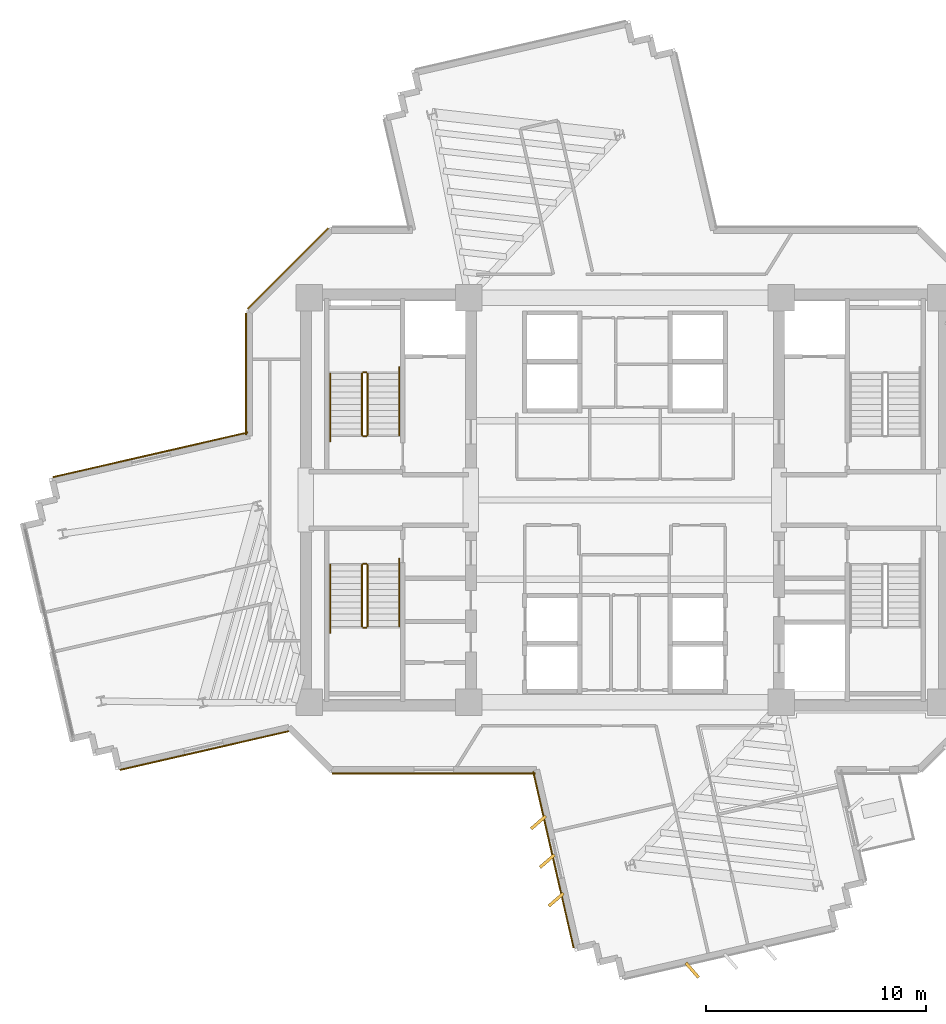
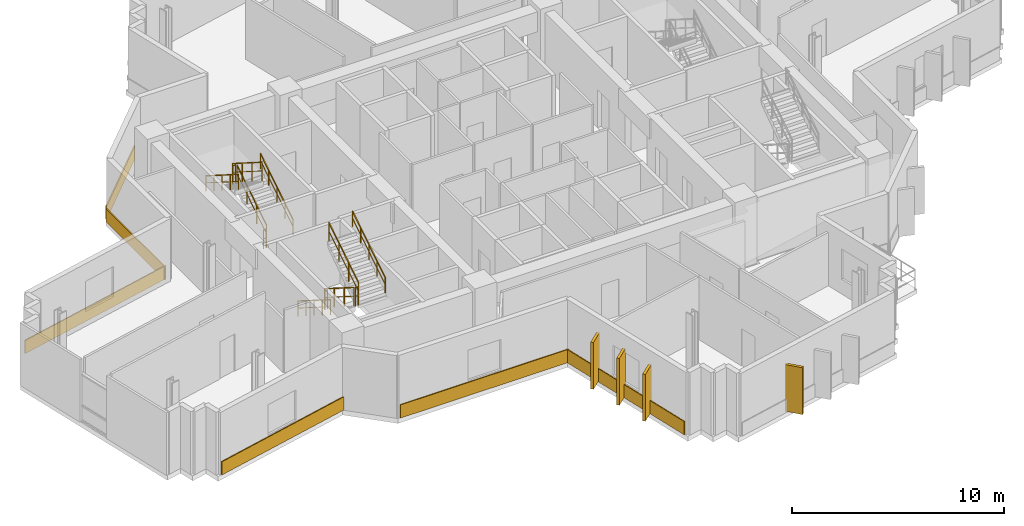
# One storey, part 11 of 13: 12 railings, 10 coverings.
"""IFC4 building model written with IfcOpenShell, lengths in metres."""

from ifc_helpers import new_model, si_unit, direction, frame, origin, origin_2d, place, context, subcontext, project, spatial, rectangle, extrude, source, transform, mapped, material, layer, layer_set, type_object, element, save


model = new_model("IFC4")

# Units and contexts
model_context = context("Model", 3, precision=1e-05, world=origin(), true_north=direction((0.0, 1.0)))
body_context = subcontext(model_context, "Body", "Model", "MODEL_VIEW")
ifc_project = project(units=[si_unit("LENGTHUNIT", "METRE"), si_unit("AREAUNIT", "SQUARE_METRE"), si_unit("VOLUMEUNIT", "CUBIC_METRE"), si_unit("PLANEANGLEUNIT", "RADIAN"), si_unit("MASSUNIT", "GRAM", prefix="KILO")], contexts=[model_context])

# Site, building, storey
site_placement = place(None, origin())
site = spatial("IfcSite", under=ifc_project, at=site_placement, CompositionType="ELEMENT")
building_placement = place(site_placement, origin())
building = spatial("IfcBuilding", under=site, at=building_placement, Name="Zahravan Cultural Tower", CompositionType="ELEMENT")
storey_placement = place(building_placement, frame((0.0, 0.0, 178.5)))
storey = spatial("IfcBuildingStorey", under=building, at=storey_placement, Name="L41", CompositionType="ELEMENT", Elevation=178.5)

# Railings
ifc_material_1 = material(Name="Steel ASTM A572 Grade 50", Category="steel")
railing_type_1 = type_object("IfcRailingType", Name="RL-STAIR-GRD1150", PredefinedType="BALUSTRADE", material=ifc_material_1)
railing_1_placement = place(storey_placement, frame((24.300048828125, 29.949951171875, 0.17724609375)))
element("IfcRailing", 1, at=railing_1_placement, inside=storey, type_object=railing_type_1, Name="L41 ST-W1 stair guard 1", PredefinedType="BALUSTRADE", context=body_context, shape_type="SweptSolid", body=[
    extrude(rectangle(XDim=0.05, YDim=0.05, at=origin_2d()), frame((0.0, 0.0, 1.0751953125), z_axis=(0.0, 0.844908973607, 0.534910110503), x_axis=(-1.0, 0.0, 0.0)), (0.0, 0.0, 1.0), 3.31396484375),
    extrude(rectangle(XDim=0.032, YDim=0.032, at=origin_2d()), frame((0.0, 0.0, 0.572021484375), z_axis=(0.0, 0.844908973607, 0.534910110503), x_axis=(-1.0, 0.0, 0.0)), (0.0, 0.0, 1.0), 3.31396484375),
    extrude(rectangle(XDim=0.04, YDim=0.04, at=origin_2d()), origin(), (0.0, 0.0, 1.0), 1.10009765625),
    extrude(rectangle(XDim=0.04, YDim=0.04, at=origin_2d()), frame((0.0, 0.933349609375, 0.5908203125)), (0.0, 0.0, 1.0), 1.10009765625),
    extrude(rectangle(XDim=0.04, YDim=0.04, at=origin_2d()), frame((0.0, 1.86669921875, 1.181884765625)), (0.0, 0.0, 1.0), 1.10009765625),
    extrude(rectangle(XDim=0.04, YDim=0.04, at=origin_2d()), frame((0.0, 2.800048828125, 1.772705078125)), (0.0, 0.0, 1.0), 1.10009765625),
])
railing_2_placement = place(storey_placement, frame((24.25, 32.800048828125, 1.949951171875)))
element("IfcRailing", 2, at=railing_2_placement, inside=storey, type_object=railing_type_1, Name="L41 ST-W1 stair guard 2", PredefinedType="BALUSTRADE", context=body_context, shape_type="SweptSolid", body=[
    extrude(rectangle(XDim=0.05, YDim=0.05, at=origin_2d()), frame((0.0, 0.0, 1.0751953125), z_axis=(-1.0, 0.0, 0.0), x_axis=(0.0, -1.0, 0.0)), (0.0, 0.0, 1.0), 0.14990234375),
    extrude(rectangle(XDim=0.032, YDim=0.032, at=origin_2d()), frame((0.0, 0.0, 0.572021484375), z_axis=(-1.0, 0.0, 0.0), x_axis=(0.0, -1.0, 0.0)), (0.0, 0.0, 1.0), 0.14990234375),
    extrude(rectangle(XDim=0.04, YDim=0.04, at=origin_2d()), origin(), (0.0, 0.0, 1.0), 1.10009765625),
    extrude(rectangle(XDim=0.04, YDim=0.04, at=origin_2d()), frame((-0.14990234375, 0.0, 0.0)), (0.0, 0.0, 1.0), 1.10009765625),
])
railing_3_placement = place(storey_placement, frame((24.050048828125, 32.75, 2.127197265625)))
element("IfcRailing", 3, at=railing_3_placement, inside=storey, type_object=railing_type_1, Name="L41 ST-W1 stair guard 3", PredefinedType="BALUSTRADE", context=body_context, shape_type="SweptSolid", body=[
    extrude(rectangle(XDim=0.05, YDim=0.05, at=origin_2d()), frame((0.0, 0.0, 1.0751953125), z_axis=(0.0, -0.844908973607, 0.534910110503), x_axis=(1.0, 0.0, 0.0)), (0.0, 0.0, 1.0), 3.31396484375),
    extrude(rectangle(XDim=0.032, YDim=0.032, at=origin_2d()), frame((0.0, 0.0, 0.572021484375), z_axis=(0.0, -0.844908973607, 0.534910110503), x_axis=(1.0, 0.0, 0.0)), (0.0, 0.0, 1.0), 3.31396484375),
    extrude(rectangle(XDim=0.04, YDim=0.04, at=origin_2d()), origin(), (0.0, 0.0, 1.0), 1.10009765625),
    extrude(rectangle(XDim=0.04, YDim=0.04, at=origin_2d()), frame((0.0, -0.933349609375, 0.5908203125)), (0.0, 0.0, 1.0), 1.10009765625),
    extrude(rectangle(XDim=0.04, YDim=0.04, at=origin_2d()), frame((0.0, -1.86669921875, 1.181884765625)), (0.0, 0.0, 1.0), 1.10009765625),
    extrude(rectangle(XDim=0.04, YDim=0.04, at=origin_2d()), frame((0.0, -2.800048828125, 1.772705078125)), (0.0, 0.0, 1.0), 1.10009765625),
])
railing_4_placement = place(storey_placement, frame((24.25, 29.89990234375, 0.0)))
element("IfcRailing", 4, at=railing_4_placement, inside=storey, type_object=railing_type_1, Name="L41 ST-W1 stair guard 4", PredefinedType="BALUSTRADE", context=body_context, shape_type="SweptSolid", body=[
    extrude(rectangle(XDim=0.05, YDim=0.05, at=origin_2d()), frame((0.0, 0.0, 1.0751953125), z_axis=(-1.0, 0.0, 0.0), x_axis=(0.0, -1.0, 0.0)), (0.0, 0.0, 1.0), 0.14990234375),
    extrude(rectangle(XDim=0.032, YDim=0.032, at=origin_2d()), frame((0.0, 0.0, 0.572021484375), z_axis=(-1.0, 0.0, 0.0), x_axis=(0.0, -1.0, 0.0)), (0.0, 0.0, 1.0), 0.14990234375),
    extrude(rectangle(XDim=0.04, YDim=0.04, at=origin_2d()), origin(), (0.0, 0.0, 1.0), 1.10009765625),
    extrude(rectangle(XDim=0.04, YDim=0.04, at=origin_2d()), frame((-0.14990234375, 0.0, 0.0)), (0.0, 0.0, 1.0), 1.10009765625),
])
railing_5_placement = place(storey_placement, frame((24.050048828125, 24.050048828125, 0.17724609375)))
element("IfcRailing", 5, at=railing_5_placement, inside=storey, type_object=railing_type_1, Name="L41 ST-W2 stair guard 1", PredefinedType="BALUSTRADE", context=body_context, shape_type="SweptSolid", body=[
    extrude(rectangle(XDim=0.05, YDim=0.05, at=origin_2d()), frame((0.0, 0.0, 1.0751953125), z_axis=(0.0, -0.844908973607, 0.534910110503), x_axis=(1.0, 0.0, 0.0)), (0.0, 0.0, 1.0), 3.31396484375),
    extrude(rectangle(XDim=0.032, YDim=0.032, at=origin_2d()), frame((0.0, 0.0, 0.572021484375), z_axis=(0.0, -0.844908973607, 0.534910110503), x_axis=(1.0, 0.0, 0.0)), (0.0, 0.0, 1.0), 3.31396484375),
    extrude(rectangle(XDim=0.04, YDim=0.04, at=origin_2d()), origin(), (0.0, 0.0, 1.0), 1.10009765625),
    extrude(rectangle(XDim=0.04, YDim=0.04, at=origin_2d()), frame((0.0, -0.933349609375, 0.5908203125)), (0.0, 0.0, 1.0), 1.10009765625),
    extrude(rectangle(XDim=0.04, YDim=0.04, at=origin_2d()), frame((0.0, -1.86669921875, 1.181884765625)), (0.0, 0.0, 1.0), 1.10009765625),
    extrude(rectangle(XDim=0.04, YDim=0.04, at=origin_2d()), frame((0.0, -2.800048828125, 1.772705078125)), (0.0, 0.0, 1.0), 1.10009765625),
])
railing_6_placement = place(storey_placement, frame((24.10009765625, 21.199951171875, 1.949951171875)))
element("IfcRailing", 6, at=railing_6_placement, inside=storey, type_object=railing_type_1, Name="L41 ST-W2 stair guard 2", PredefinedType="BALUSTRADE", context=body_context, shape_type="SweptSolid", body=[
    extrude(rectangle(XDim=0.05, YDim=0.05, at=origin_2d()), frame((0.0, 0.0, 1.0751953125), z_axis=(1.0, 0.0, 0.0), x_axis=(0.0, 1.0, 0.0)), (0.0, 0.0, 1.0), 0.14990234375),
    extrude(rectangle(XDim=0.032, YDim=0.032, at=origin_2d()), frame((0.0, 0.0, 0.572021484375), z_axis=(1.0, 0.0, 0.0), x_axis=(0.0, 1.0, 0.0)), (0.0, 0.0, 1.0), 0.14990234375),
    extrude(rectangle(XDim=0.04, YDim=0.04, at=origin_2d()), origin(), (0.0, 0.0, 1.0), 1.10009765625),
    extrude(rectangle(XDim=0.04, YDim=0.04, at=origin_2d()), frame((0.14990234375, 0.0, 0.0)), (0.0, 0.0, 1.0), 1.10009765625),
])
railing_7_placement = place(storey_placement, frame((24.300048828125, 21.25, 2.127197265625)))
element("IfcRailing", 7, at=railing_7_placement, inside=storey, type_object=railing_type_1, Name="L41 ST-W2 stair guard 3", PredefinedType="BALUSTRADE", context=body_context, shape_type="SweptSolid", body=[
    extrude(rectangle(XDim=0.05, YDim=0.05, at=origin_2d()), frame((0.0, 0.0, 1.0751953125), z_axis=(0.0, 0.844908973607, 0.534910110503), x_axis=(-1.0, 0.0, 0.0)), (0.0, 0.0, 1.0), 3.31396484375),
    extrude(rectangle(XDim=0.032, YDim=0.032, at=origin_2d()), frame((0.0, 0.0, 0.572021484375), z_axis=(0.0, 0.844908973607, 0.534910110503), x_axis=(-1.0, 0.0, 0.0)), (0.0, 0.0, 1.0), 3.31396484375),
    extrude(rectangle(XDim=0.04, YDim=0.04, at=origin_2d()), origin(), (0.0, 0.0, 1.0), 1.10009765625),
    extrude(rectangle(XDim=0.04, YDim=0.04, at=origin_2d()), frame((0.0, 0.933349609375, 0.5908203125)), (0.0, 0.0, 1.0), 1.10009765625),
    extrude(rectangle(XDim=0.04, YDim=0.04, at=origin_2d()), frame((0.0, 1.86669921875, 1.181884765625)), (0.0, 0.0, 1.0), 1.10009765625),
    extrude(rectangle(XDim=0.04, YDim=0.04, at=origin_2d()), frame((0.0, 2.800048828125, 1.772705078125)), (0.0, 0.0, 1.0), 1.10009765625),
])
railing_8_placement = place(storey_placement, frame((24.10009765625, 24.10009765625, 0.0)))
element("IfcRailing", 8, at=railing_8_placement, inside=storey, type_object=railing_type_1, Name="L41 ST-W2 stair guard 4", PredefinedType="BALUSTRADE", context=body_context, shape_type="SweptSolid", body=[
    extrude(rectangle(XDim=0.05, YDim=0.05, at=origin_2d()), frame((0.0, 0.0, 1.0751953125), z_axis=(1.0, 0.0, 0.0), x_axis=(0.0, 1.0, 0.0)), (0.0, 0.0, 1.0), 0.14990234375),
    extrude(rectangle(XDim=0.032, YDim=0.032, at=origin_2d()), frame((0.0, 0.0, 0.572021484375), z_axis=(1.0, 0.0, 0.0), x_axis=(0.0, 1.0, 0.0)), (0.0, 0.0, 1.0), 0.14990234375),
    extrude(rectangle(XDim=0.04, YDim=0.04, at=origin_2d()), origin(), (0.0, 0.0, 1.0), 1.10009765625),
    extrude(rectangle(XDim=0.04, YDim=0.04, at=origin_2d()), frame((0.14990234375, 0.0, 0.0)), (0.0, 0.0, 1.0), 1.10009765625),
])
railing_type_2 = type_object("IfcRailingType", Name="RL-STAIR-HR900", PredefinedType="HANDRAIL", material=ifc_material_1)
railing_9_placement = place(storey_placement, frame((25.75, 29.949951171875, 0.17724609375)))
element("IfcRailing", 9, at=railing_9_placement, inside=storey, type_object=railing_type_2, Name="L41 ST-W1 stair handrail 1", PredefinedType="HANDRAIL", context=body_context, shape_type="SweptSolid", body=[
    extrude(rectangle(XDim=0.05, YDim=0.05, at=origin_2d()), frame((0.0, 0.0, 0.875), z_axis=(0.0, 0.844913916606, 0.534902302785), x_axis=(-1.0, 0.0, 0.0)), (0.0, 0.0, 1.0), 3.6455078125),
    extrude(rectangle(XDim=0.032, YDim=0.032, at=origin_2d()), frame((0.0, 0.0, 0.468017578125), z_axis=(0.0, 0.844913916606, 0.534902302785), x_axis=(-1.0, 0.0, 0.0)), (0.0, 0.0, 1.0), 3.6455078125),
    extrude(rectangle(XDim=0.04, YDim=0.04, at=origin_2d()), origin(), (0.0, 0.0, 1.0), 0.89990234375),
    extrude(rectangle(XDim=0.04, YDim=0.04, at=origin_2d()), frame((0.0, 0.77001953125, 0.487548828125)), (0.0, 0.0, 1.0), 0.89990234375),
    extrude(rectangle(XDim=0.04, YDim=0.04, at=origin_2d()), frame((0.0, 1.5400390625, 0.97509765625)), (0.0, 0.0, 1.0), 0.89990234375),
    extrude(rectangle(XDim=0.04, YDim=0.04, at=origin_2d()), frame((0.0, 2.31005859375, 1.46240234375)), (0.0, 0.0, 1.0), 0.89990234375),
    extrude(rectangle(XDim=0.04, YDim=0.04, at=origin_2d()), frame((0.0, 3.080078125, 1.949951171875)), (0.0, 0.0, 1.0), 0.89990234375),
])
railing_10_placement = place(storey_placement, frame((22.60009765625, 32.75, 2.127197265625)))
element("IfcRailing", 10, at=railing_10_placement, inside=storey, type_object=railing_type_2, Name="L41 ST-W1 stair handrail 2", PredefinedType="HANDRAIL", context=body_context, shape_type="SweptSolid", body=[
    extrude(rectangle(XDim=0.05, YDim=0.05, at=origin_2d()), frame((0.0, 0.0, 0.875), z_axis=(0.0, -0.844883648757, 0.534950109882), x_axis=(1.0, 0.0, 0.0)), (0.0, 0.0, 1.0), 3.6455078125),
    extrude(rectangle(XDim=0.032, YDim=0.032, at=origin_2d()), frame((0.0, 0.0, 0.468017578125), z_axis=(0.0, -0.844883648757, 0.534950109882), x_axis=(1.0, 0.0, 0.0)), (0.0, 0.0, 1.0), 3.6455078125),
    extrude(rectangle(XDim=0.04, YDim=0.04, at=origin_2d()), origin(), (0.0, 0.0, 1.0), 0.89990234375),
    extrude(rectangle(XDim=0.04, YDim=0.04, at=origin_2d()), frame((0.0, -0.77001953125, 0.487548828125)), (0.0, 0.0, 1.0), 0.89990234375),
    extrude(rectangle(XDim=0.04, YDim=0.04, at=origin_2d()), frame((0.0, -1.5400390625, 0.97509765625)), (0.0, 0.0, 1.0), 0.89990234375),
    extrude(rectangle(XDim=0.04, YDim=0.04, at=origin_2d()), frame((0.0, -2.31005859375, 1.462646484375)), (0.0, 0.0, 1.0), 0.89990234375),
    extrude(rectangle(XDim=0.04, YDim=0.04, at=origin_2d()), frame((0.0, -3.080078125, 1.9501953125)), (0.0, 0.0, 1.0), 0.89990234375),
])
railing_11_placement = place(storey_placement, frame((22.60009765625, 24.050048828125, 0.17724609375)))
element("IfcRailing", 11, at=railing_11_placement, inside=storey, type_object=railing_type_2, Name="L41 ST-W2 stair handrail 1", PredefinedType="HANDRAIL", context=body_context, shape_type="SweptSolid", body=[
    extrude(rectangle(XDim=0.05, YDim=0.05, at=origin_2d()), frame((0.0, 0.0, 0.875), z_axis=(0.0, -0.844913916606, 0.534902302785), x_axis=(1.0, 0.0, 0.0)), (0.0, 0.0, 1.0), 3.6455078125),
    extrude(rectangle(XDim=0.032, YDim=0.032, at=origin_2d()), frame((0.0, 0.0, 0.468017578125), z_axis=(0.0, -0.844913916606, 0.534902302785), x_axis=(1.0, 0.0, 0.0)), (0.0, 0.0, 1.0), 3.6455078125),
    extrude(rectangle(XDim=0.04, YDim=0.04, at=origin_2d()), origin(), (0.0, 0.0, 1.0), 0.89990234375),
    extrude(rectangle(XDim=0.04, YDim=0.04, at=origin_2d()), frame((0.0, -0.77001953125, 0.487548828125)), (0.0, 0.0, 1.0), 0.89990234375),
    extrude(rectangle(XDim=0.04, YDim=0.04, at=origin_2d()), frame((0.0, -1.5400390625, 0.97509765625)), (0.0, 0.0, 1.0), 0.89990234375),
    extrude(rectangle(XDim=0.04, YDim=0.04, at=origin_2d()), frame((0.0, -2.31005859375, 1.46240234375)), (0.0, 0.0, 1.0), 0.89990234375),
    extrude(rectangle(XDim=0.04, YDim=0.04, at=origin_2d()), frame((0.0, -3.080078125, 1.949951171875)), (0.0, 0.0, 1.0), 0.89990234375),
])
railing_12_placement = place(storey_placement, frame((25.75, 21.25, 2.127197265625)))
element("IfcRailing", 12, at=railing_12_placement, inside=storey, type_object=railing_type_2, Name="L41 ST-W2 stair handrail 2", PredefinedType="HANDRAIL", context=body_context, shape_type="SweptSolid", body=[
    extrude(rectangle(XDim=0.05, YDim=0.05, at=origin_2d()), frame((0.0, 0.0, 0.875), z_axis=(0.0, 0.844883648757, 0.534950109882), x_axis=(-1.0, 0.0, 0.0)), (0.0, 0.0, 1.0), 3.6455078125),
    extrude(rectangle(XDim=0.032, YDim=0.032, at=origin_2d()), frame((0.0, 0.0, 0.468017578125), z_axis=(0.0, 0.844883648757, 0.534950109882), x_axis=(-1.0, 0.0, 0.0)), (0.0, 0.0, 1.0), 3.6455078125),
    extrude(rectangle(XDim=0.04, YDim=0.04, at=origin_2d()), origin(), (0.0, 0.0, 1.0), 0.89990234375),
    extrude(rectangle(XDim=0.04, YDim=0.04, at=origin_2d()), frame((0.0, 0.77001953125, 0.487548828125)), (0.0, 0.0, 1.0), 0.89990234375),
    extrude(rectangle(XDim=0.04, YDim=0.04, at=origin_2d()), frame((0.0, 1.5400390625, 0.97509765625)), (0.0, 0.0, 1.0), 0.89990234375),
    extrude(rectangle(XDim=0.04, YDim=0.04, at=origin_2d()), frame((0.0, 2.31005859375, 1.462646484375)), (0.0, 0.0, 1.0), 0.89990234375),
    extrude(rectangle(XDim=0.04, YDim=0.04, at=origin_2d()), frame((0.0, 3.080078125, 1.9501953125)), (0.0, 0.0, 1.0), 0.89990234375),
])

# Coverings
ifc_material_2 = material(Name="Terracotta ceramic cladding", Category="masonry")
ifc_layer = layer(ifc_material_2, 0.06005859375)
ifc_layer_set = layer_set([ifc_layer], Name="Terracotta ceramic cladding")
covering_type = type_object("IfcCoveringType", Name="COV-CLAD-TC60", PredefinedType="CLADDING", material=ifc_layer_set)
shared_shape_1 = source(origin(), body_context, "Body", "SweptSolid", [
    extrude(rectangle(XDim=5.157958984375, YDim=0.06005859375, at=origin_2d()), origin(), (0.0, 0.0, 1.0), 0.760009765625),
])
covering_1_placement = place(storey_placement, frame((20.682373046875, 37.517578125, 0.02001953125), z_axis=(0.0, 0.0, 1.0), x_axis=(0.707106781187, 0.707106781187, 0.0)))
element("IfcCovering", 13, at=covering_1_placement, inside=storey, type_object=covering_type, Name="L41 Terracotta Spandrel Cladding 38", PredefinedType="CLADDING", context=body_context, shape_type="MappedRepresentation", body=[
    mapped(shared_shape_1, transform((0.0, 0.0, 0.0), x_axis=(1.0, 0.0, 0.0), y_axis=(0.0, 1.0, 0.0), z_axis=(0.0, 0.0, 1.0), scale=1.0)),
])
shared_shape_2 = source(origin(), body_context, "Body", "SweptSolid", [
    extrude(rectangle(XDim=0.8798828125, YDim=0.139892578125, at=origin_2d()), origin(), (0.0, 0.0, 1.0), 2.699951171875),
])
for number, where, z_axis, x_axis, name in (
    (14, (39.054931640625, 5.632080078125, 0.0498046875), (0.0, 0.0, 1.0), (0.655004616457, -0.755624875464, 0.0), "L41 Herringbone Terracotta Fin 15"),
    (15, (32.872314453125, 8.83544921875, 0.0498046875), (0.0, 0.0, 1.0), (-0.755613443362, -0.655017804499, 0.0), "L41 Herringbone Terracotta Fin 16"),
    (16, (32.4697265625, 10.58984375, 0.0498046875), (0.0, 0.0, 1.0), (-0.755613443362, -0.655017804499, 0.0), "L41 Herringbone Terracotta Fin 17"),
    (17, (32.0673828125, 12.344482421875, 0.0498046875), (0.0, 0.0, 1.0), (-0.755613443362, -0.655017804499, 0.0), "L41 Herringbone Terracotta Fin 18"),
):
    element("IfcCovering", number, at=place(storey_placement, frame(where, z_axis=z_axis, x_axis=x_axis)), inside=storey, type_object=covering_type, Name=name, PredefinedType="CLADDING", context=body_context, shape_type="MappedRepresentation", body=[
        mapped(shared_shape_2, transform((0.0, 0.0, 0.0), x_axis=(1.0, 0.0, 0.0), y_axis=(0.0, 1.0, 0.0), z_axis=(0.0, 0.0, 1.0), scale=1.0)),
    ])
shared_shape_3 = source(origin(), body_context, "Body", "SweptSolid", [
    extrude(rectangle(XDim=7.868896484375, YDim=0.06005859375, at=origin_2d()), origin(), (0.0, 0.0, 1.0), 0.760009765625),
])
covering_2_placement = place(storey_placement, frame((16.886474609375, 15.613037109375, 0.02001953125), z_axis=(0.0, 0.0, 1.0), x_axis=(-0.974683205815, -0.223590358248, 0.0)))
element("IfcCovering", 18, at=covering_2_placement, inside=storey, type_object=covering_type, Name="L41 Terracotta Spandrel Cladding 27", PredefinedType="CLADDING", context=body_context, shape_type="MappedRepresentation", body=[
    mapped(shared_shape_3, transform((0.0, 0.0, 0.0), x_axis=(1.0, 0.0, 0.0), y_axis=(0.0, 1.0, 0.0), z_axis=(0.0, 0.0, 1.0), scale=1.0)),
])
shared_shape_4 = source(origin(), body_context, "Body", "SweptSolid", [
    extrude(rectangle(XDim=9.084716796875, YDim=0.06005859375, at=origin_2d()), origin(), (0.0, 0.0, 1.0), 0.760009765625),
])
covering_3_placement = place(storey_placement, frame((14.427001953125, 29.053466796875, 0.02001953125), z_axis=(0.0, 0.0, 1.0), x_axis=(0.974679303279, 0.223607369645, 0.0)))
element("IfcCovering", 19, at=covering_3_placement, inside=storey, type_object=covering_type, Name="L41 Terracotta Spandrel Cladding 36", PredefinedType="CLADDING", context=body_context, shape_type="MappedRepresentation", body=[
    mapped(shared_shape_4, transform((0.0, 0.0, 0.0), x_axis=(1.0, 0.0, 0.0), y_axis=(0.0, 1.0, 0.0), z_axis=(0.0, 0.0, 1.0), scale=1.0)),
])
shared_shape_5 = source(origin(), body_context, "Body", "SweptSolid", [
    extrude(rectangle(XDim=5.5224609375, YDim=0.06005859375, at=origin_2d()), origin(), (0.0, 0.0, 1.0), 0.760009765625),
])
covering_4_placement = place(storey_placement, frame((18.77490234375, 32.730712890625, 0.02001953125), z_axis=(0.0, 0.0, 1.0), x_axis=(0.0, 1.0, 0.0)))
element("IfcCovering", 20, at=covering_4_placement, inside=storey, type_object=covering_type, Name="L41 Terracotta Spandrel Cladding 37", PredefinedType="CLADDING", context=body_context, shape_type="MappedRepresentation", body=[
    mapped(shared_shape_5, transform((0.0, 0.0, 0.0), x_axis=(1.0, 0.0, 0.0), y_axis=(0.0, 1.0, 0.0), z_axis=(0.0, 0.0, 1.0), scale=1.0)),
])
shared_shape_6 = source(origin(), body_context, "Body", "SweptSolid", [
    extrude(rectangle(XDim=8.209228515625, YDim=0.06005859375, at=origin_2d()), origin(), (0.0, 0.0, 1.0), 0.760009765625),
])
covering_5_placement = place(storey_placement, frame((32.74755859375, 10.65380859375, 0.02001953125), z_axis=(0.0, 0.0, 1.0), x_axis=(-0.223607369645, 0.974679303279, 0.0)))
element("IfcCovering", 21, at=covering_5_placement, inside=storey, type_object=covering_type, Name="L41 Terracotta Spandrel Cladding 24", PredefinedType="CLADDING", context=body_context, shape_type="MappedRepresentation", body=[
    mapped(shared_shape_6, transform((0.0, 0.0, 0.0), x_axis=(1.0, 0.0, 0.0), y_axis=(0.0, 1.0, 0.0), z_axis=(0.0, 0.0, 1.0), scale=1.0)),
])
shared_shape_7 = source(origin(), body_context, "Body", "SweptSolid", [
    extrude(rectangle(XDim=9.221435546875, YDim=0.06005859375, at=origin_2d()), origin(), (0.0, 0.0, 1.0), 0.760009765625),
])
covering_6_placement = place(storey_placement, frame((27.318603515625, 14.574951171875, 0.02001953125), z_axis=(0.0, 0.0, 1.0), x_axis=(-1.0, 0.0, 0.0)))
element("IfcCovering", 22, at=covering_6_placement, inside=storey, type_object=covering_type, Name="L41 Terracotta Spandrel Cladding 25", PredefinedType="CLADDING", context=body_context, shape_type="MappedRepresentation", body=[
    mapped(shared_shape_7, transform((0.0, 0.0, 0.0), x_axis=(1.0, 0.0, 0.0), y_axis=(0.0, 1.0, 0.0), z_axis=(0.0, 0.0, 1.0), scale=1.0)),
])

save(model, "model.ifc")
